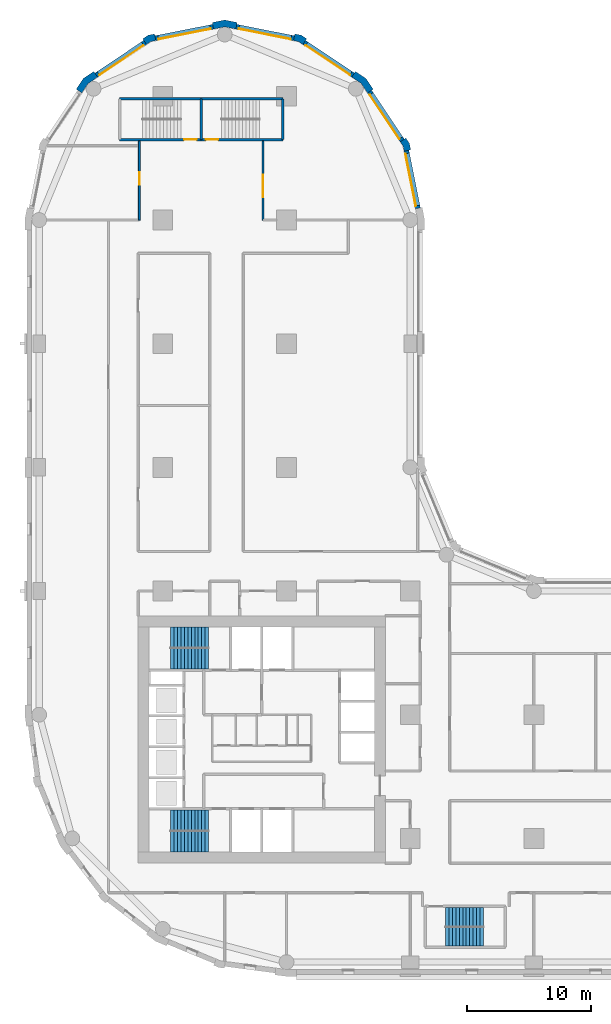
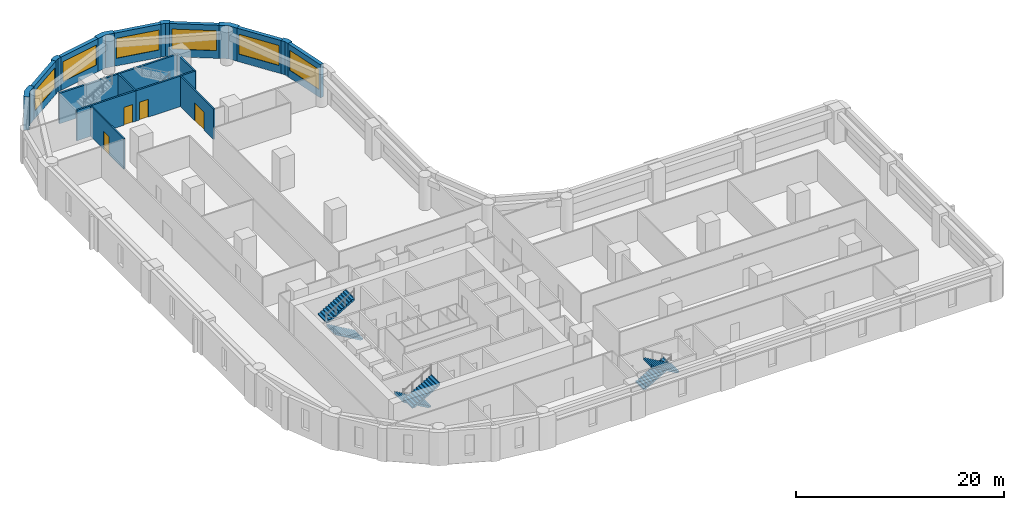
# One storey, part 8 of 11: 20 walls, 6 stair flights, 6 windows, 4 doors, 10 openings, 3 elements without a shape of their own.
"""IFC4 building model written with IfcOpenShell, lengths in metres."""

from ifc_helpers import new_model, si_unit, direction, frame, frame_2d, origin, place, context, subcontext, project, spatial, polyline, rectangle, outline, extrude, material, layer, layer_set, type_object, element, fill, aggregate, save


model = new_model("IFC4")

# Units and contexts
model_context = context("Model", 3, precision=1e-05, world=origin(), true_north=direction((0.0, 1.0)))
body_context = subcontext(model_context, "Body", "Model", "MODEL_VIEW")
ifc_project = project(units=[si_unit("LENGTHUNIT", "METRE"), si_unit("AREAUNIT", "SQUARE_METRE"), si_unit("VOLUMEUNIT", "CUBIC_METRE"), si_unit("PLANEANGLEUNIT", "RADIAN"), si_unit("MASSUNIT", "GRAM", prefix="KILO")], contexts=[model_context])

# Site, building, storey
site_placement = place(None, origin())
site = spatial("IfcSite", under=ifc_project, at=site_placement, CompositionType="ELEMENT")
building_placement = place(site_placement, origin())
building = spatial("IfcBuilding", under=site, at=building_placement, Name="Qaws Garden Tower", CompositionType="ELEMENT")
storey_placement = place(building_placement, frame((0.0, 0.0, 90.0)))
storey = spatial("IfcBuildingStorey", under=building, at=storey_placement, Name="L22", CompositionType="ELEMENT", Elevation=90.0)

# Wall, opening, window
ifc_material_1 = material(Name="Clay facing brick masonry", Category="masonry")
ifc_layer_1 = layer(ifc_material_1, 0.39990234375)
ifc_layer_set_1 = layer_set([ifc_layer_1], Name="Clay facing brick masonry")
wall_type_1 = type_object("IfcWallType", Name="Brick infill wall 400", PredefinedType="SOLIDWALL", material=ifc_layer_set_1)
wall_1_placement = place(storey_placement, frame((30.628662109375, 60.940673828125, 0.0), z_axis=(0.0, 0.0, 1.0), x_axis=(-0.195098533057, 0.98078364709, 0.0)))
wall_1 = element("IfcWall", 1, at=wall_1_placement, inside=storey, type_object=wall_type_1, Name="E-L22-infill-15", PredefinedType="SOLIDWALL", context=body_context, shape_type="SweptSolid", body=[
    extrude(rectangle(XDim=4.752685546875, YDim=0.39990234375, at=frame_2d((2.37646484375, 0.0))), origin(), (0.0, 0.0, 1.0), 3.89990234375),
])
opening_1_placement = place(wall_1_placement, frame((0.226318359375, 0.0, 0.89990234375)))
opening_1 = element("IfcOpeningElement", 2, at=opening_1_placement, cuts=wall_1, Name="Opening W06", PredefinedType="OPENING", context=body_context, shape_type="SweptSolid", body=[
    extrude(rectangle(XDim=4.300048828125, YDim=2.35009765625, at=frame_2d((2.14990234375, 1.175048828125))), frame((0.0, 0.2099609375, 0.0), z_axis=(0.0, -1.0, 0.0), x_axis=(1.0, 0.0, 0.0)), (0.0, 0.0, 1.0), 0.419921875),
])
ifc_material_2 = material(Name="Aluminium framed window, clear glazing", Category="aluminium")
window_type = type_object("IfcWindowType", Name="Ribbon window 4300 x 2350", PartitioningType="DOUBLE_PANEL_VERTICAL", PredefinedType="WINDOW", material=ifc_material_2)
window_1_placement = place(opening_1_placement, origin())
window_1 = element("IfcWindow", 3, at=window_1_placement, inside=storey, type_object=window_type, Name="E-L22-window-15-0", OverallHeight=2.35009765625, OverallWidth=4.300048828125, PartitioningType="SINGLE_PANEL", PredefinedType="WINDOW", context=body_context, shape_type="SweptSolid", body=[
    extrude(rectangle(XDim=4.300048828125, YDim=2.35009765625, at=frame_2d((2.14990234375, 1.175048828125))), frame((0.0, 0.159912109375, 0.0), z_axis=(0.0, -1.0, 0.0), x_axis=(1.0, 0.0, 0.0)), (0.0, 0.0, 1.0), 0.06005859375),
])
fill(opening_1, window_1)

wall_2_placement = place(storey_placement, frame((29.356689453125, 66.43408203125, 0.0), z_axis=(0.0, 0.0, 1.0), x_axis=(-0.555541552266, 0.831488775454, 0.0)))
wall_2 = element("IfcWall", 4, at=wall_2_placement, inside=storey, type_object=wall_type_1, Name="E-L22-infill-16", PredefinedType="SOLIDWALL", context=body_context, shape_type="SweptSolid", body=[
    extrude(rectangle(XDim=4.752685546875, YDim=0.39990234375, at=frame_2d((2.37646484375, 0.0))), origin(), (0.0, 0.0, 1.0), 3.89990234375),
])
opening_2_placement = place(wall_2_placement, frame((0.226318359375, 0.0, 0.89990234375)))
opening_2 = element("IfcOpeningElement", 5, at=opening_2_placement, cuts=wall_2, Name="Opening W06", PredefinedType="OPENING", context=body_context, shape_type="SweptSolid", body=[
    extrude(rectangle(XDim=4.300048828125, YDim=2.35009765625, at=frame_2d((2.14990234375, 1.175048828125))), frame((0.0, 0.2099609375, 0.0), z_axis=(0.0, -1.0, 0.0), x_axis=(1.0, 0.0, 0.0)), (0.0, 0.0, 1.0), 0.419921875),
])
window_2_placement = place(opening_2_placement, origin())
window_2 = element("IfcWindow", 6, at=window_2_placement, inside=storey, type_object=window_type, Name="E-L22-window-16-0", OverallHeight=2.35009765625, OverallWidth=4.300048828125, PartitioningType="SINGLE_PANEL", PredefinedType="WINDOW", context=body_context, shape_type="SweptSolid", body=[
    extrude(rectangle(XDim=4.300048828125, YDim=2.35009765625, at=frame_2d((2.14990234375, 1.175048828125))), frame((0.0, 0.159912109375, 0.0), z_axis=(0.0, -1.0, 0.0), x_axis=(1.0, 0.0, 0.0)), (0.0, 0.0, 1.0), 0.06005859375),
])
fill(opening_2, window_2)

wall_3_placement = place(storey_placement, frame((25.385986328125, 71.71630859375, 0.0), z_axis=(0.0, 0.0, 1.0), x_axis=(-0.831488775454, 0.555541552266, 0.0)))
wall_3 = element("IfcWall", 7, at=wall_3_placement, inside=storey, type_object=wall_type_1, Name="E-L22-infill-17", PredefinedType="SOLIDWALL", context=body_context, shape_type="SweptSolid", body=[
    extrude(rectangle(XDim=4.752685546875, YDim=0.39990234375, at=frame_2d((2.37646484375, 0.0))), origin(), (0.0, 0.0, 1.0), 3.89990234375),
])
opening_3_placement = place(wall_3_placement, frame((0.226318359375, 0.0, 0.89990234375)))
opening_3 = element("IfcOpeningElement", 8, at=opening_3_placement, cuts=wall_3, Name="Opening W06", PredefinedType="OPENING", context=body_context, shape_type="SweptSolid", body=[
    extrude(rectangle(XDim=4.300048828125, YDim=2.35009765625, at=frame_2d((2.14990234375, 1.175048828125))), frame((0.0, 0.2099609375, 0.0), z_axis=(0.0, -1.0, 0.0), x_axis=(1.0, 0.0, 0.0)), (0.0, 0.0, 1.0), 0.419921875),
])
window_3_placement = place(opening_3_placement, origin())
window_3 = element("IfcWindow", 9, at=window_3_placement, inside=storey, type_object=window_type, Name="E-L22-window-17-0", OverallHeight=2.35009765625, OverallWidth=4.300048828125, PartitioningType="SINGLE_PANEL", PredefinedType="WINDOW", context=body_context, shape_type="SweptSolid", body=[
    extrude(rectangle(XDim=4.300048828125, YDim=2.35009765625, at=frame_2d((2.14990234375, 1.175048828125))), frame((0.0, 0.159912109375, 0.0), z_axis=(0.0, -1.0, 0.0), x_axis=(1.0, 0.0, 0.0)), (0.0, 0.0, 1.0), 0.06005859375),
])
fill(opening_3, window_3)

wall_4_placement = place(storey_placement, frame((20.60205078125, 74.701416015625, 0.0), z_axis=(0.0, 0.0, 1.0), x_axis=(-0.98078364709, 0.195098533057, 0.0)))
wall_4 = element("IfcWall", 10, at=wall_4_placement, inside=storey, type_object=wall_type_1, Name="E-L22-infill-18", PredefinedType="SOLIDWALL", context=body_context, shape_type="SweptSolid", body=[
    extrude(rectangle(XDim=4.752685546875, YDim=0.39990234375, at=frame_2d((2.37646484375, 0.0))), origin(), (0.0, 0.0, 1.0), 3.89990234375),
])
opening_4_placement = place(wall_4_placement, frame((0.226318359375, 0.0, 0.89990234375)))
opening_4 = element("IfcOpeningElement", 11, at=opening_4_placement, cuts=wall_4, Name="Opening W06", PredefinedType="OPENING", context=body_context, shape_type="SweptSolid", body=[
    extrude(rectangle(XDim=4.300048828125, YDim=2.35009765625, at=frame_2d((2.14990234375, 1.175048828125))), frame((0.0, 0.2099609375, 0.0), z_axis=(0.0, -1.0, 0.0), x_axis=(1.0, 0.0, 0.0)), (0.0, 0.0, 1.0), 0.419921875),
])
window_4_placement = place(opening_4_placement, origin())
window_4 = element("IfcWindow", 12, at=window_4_placement, inside=storey, type_object=window_type, Name="E-L22-window-18-0", OverallHeight=2.35009765625, OverallWidth=4.300048828125, PartitioningType="SINGLE_PANEL", PredefinedType="WINDOW", context=body_context, shape_type="SweptSolid", body=[
    extrude(rectangle(XDim=4.300048828125, YDim=2.35009765625, at=frame_2d((2.14990234375, 1.175048828125))), frame((0.0, 0.159912109375, 0.0), z_axis=(0.0, -1.0, 0.0), x_axis=(1.0, 0.0, 0.0)), (0.0, 0.0, 1.0), 0.06005859375),
])
fill(opening_4, window_4)

wall_5_placement = place(storey_placement, frame((14.059326171875, 75.628662109375, 0.0), z_axis=(0.0, 0.0, 1.0), x_axis=(-0.98078364709, -0.195098533057, 0.0)))
wall_5 = element("IfcWall", 13, at=wall_5_placement, inside=storey, type_object=wall_type_1, Name="E-L22-infill-19", PredefinedType="SOLIDWALL", context=body_context, shape_type="SweptSolid", body=[
    extrude(rectangle(XDim=4.752685546875, YDim=0.39990234375, at=frame_2d((2.37646484375, 0.0))), origin(), (0.0, 0.0, 1.0), 3.89990234375),
])
opening_5_placement = place(wall_5_placement, frame((0.226318359375, 0.0, 0.89990234375)))
opening_5 = element("IfcOpeningElement", 14, at=opening_5_placement, cuts=wall_5, Name="Opening W06", PredefinedType="OPENING", context=body_context, shape_type="SweptSolid", body=[
    extrude(rectangle(XDim=4.300048828125, YDim=2.35009765625, at=frame_2d((2.14990234375, 1.175048828125))), frame((0.0, 0.2099609375, 0.0), z_axis=(0.0, -1.0, 0.0), x_axis=(1.0, 0.0, 0.0)), (0.0, 0.0, 1.0), 0.419921875),
])
window_5_placement = place(opening_5_placement, origin())
window_5 = element("IfcWindow", 15, at=window_5_placement, inside=storey, type_object=window_type, Name="E-L22-window-19-0", OverallHeight=2.35009765625, OverallWidth=4.300048828125, PartitioningType="SINGLE_PANEL", PredefinedType="WINDOW", context=body_context, shape_type="SweptSolid", body=[
    extrude(rectangle(XDim=4.300048828125, YDim=2.35009765625, at=frame_2d((2.14990234375, 1.175048828125))), frame((0.0, 0.159912109375, 0.0), z_axis=(0.0, -1.0, 0.0), x_axis=(1.0, 0.0, 0.0)), (0.0, 0.0, 1.0), 0.06005859375),
])
fill(opening_5, window_5)

wall_6_placement = place(storey_placement, frame((8.56591796875, 74.356689453125, 0.0), z_axis=(0.0, 0.0, 1.0), x_axis=(-0.831488775454, -0.555541552266, 0.0)))
wall_6 = element("IfcWall", 16, at=wall_6_placement, inside=storey, type_object=wall_type_1, Name="E-L22-infill-20", PredefinedType="SOLIDWALL", context=body_context, shape_type="SweptSolid", body=[
    extrude(rectangle(XDim=4.752685546875, YDim=0.39990234375, at=frame_2d((2.37646484375, 0.0))), origin(), (0.0, 0.0, 1.0), 3.89990234375),
])
opening_6_placement = place(wall_6_placement, frame((0.226318359375, 0.0, 0.89990234375)))
opening_6 = element("IfcOpeningElement", 17, at=opening_6_placement, cuts=wall_6, Name="Opening W06", PredefinedType="OPENING", context=body_context, shape_type="SweptSolid", body=[
    extrude(rectangle(XDim=4.300048828125, YDim=2.35009765625, at=frame_2d((2.14990234375, 1.175048828125))), frame((0.0, 0.2099609375, 0.0), z_axis=(0.0, -1.0, 0.0), x_axis=(1.0, 0.0, 0.0)), (0.0, 0.0, 1.0), 0.419921875),
])
window_6_placement = place(opening_6_placement, origin())
window_6 = element("IfcWindow", 18, at=window_6_placement, inside=storey, type_object=window_type, Name="E-L22-window-20-0", OverallHeight=2.35009765625, OverallWidth=4.300048828125, PartitioningType="SINGLE_PANEL", PredefinedType="WINDOW", context=body_context, shape_type="SweptSolid", body=[
    extrude(rectangle(XDim=4.300048828125, YDim=2.35009765625, at=frame_2d((2.14990234375, 1.175048828125))), frame((0.0, 0.159912109375, 0.0), z_axis=(0.0, -1.0, 0.0), x_axis=(1.0, 0.0, 0.0)), (0.0, 0.0, 1.0), 0.06005859375),
])
fill(opening_6, window_6)

# Walls
ifc_material_3 = material(Name="Clay facing brick masonry", Category="masonry")
ifc_layer_2 = layer(ifc_material_3, 0.550048828125)
ifc_layer_set_2 = layer_set([ifc_layer_2], Name="Clay facing brick masonry")
wall_type_2 = type_object("IfcWallType", Name="Brick kink pier 550 x 600", PredefinedType="SOLIDWALL", material=ifc_layer_set_2)
placement = place(storey_placement, origin())
element("IfcWall", 19, at=placement, inside=storey, type_object=wall_type_2, Name="E-L22-pier-16", PredefinedType="SOLIDWALL", context=body_context, shape_type="SweptSolid", body=[
    extrude(outline(polyline([(29.8974609375, 65.64111328125), (30.044677734375, 65.67041015625), (29.94140625, 66.18896484375), (29.647705078125, 66.628662109375), (29.52294921875, 66.545166015625), (29.1904296875, 66.322998046875), (29.42333984375, 65.974365234375), (29.505126953125, 65.56298828125), (29.8974609375, 65.64111328125)])), origin(), (0.0, 0.0, 1.0), 3.89990234375),
])
element("IfcWall", 20, at=placement, inside=storey, type_object=wall_type_2, Name="E-L22-pier-18", PredefinedType="SOLIDWALL", context=body_context, shape_type="SweptSolid", body=[
    extrude(outline(polyline([(21.545166015625, 74.52294921875), (21.628662109375, 74.647705078125), (21.18896484375, 74.94140625), (20.67041015625, 75.044677734375), (20.64111328125, 74.8974609375), (20.56298828125, 74.505126953125), (20.974365234375, 74.42333984375), (21.322998046875, 74.1904296875), (21.545166015625, 74.52294921875)])), origin(), (0.0, 0.0, 1.0), 3.89990234375),
])
element("IfcWall", 21, at=placement, inside=storey, type_object=wall_type_2, Name="E-L22-pier-20", PredefinedType="SOLIDWALL", context=body_context, shape_type="SweptSolid", body=[
    extrude(outline(polyline([(9.35888671875, 74.8974609375), (9.32958984375, 75.044677734375), (8.81103515625, 74.94140625), (8.371337890625, 74.647705078125), (8.454833984375, 74.52294921875), (8.677001953125, 74.1904296875), (9.025634765625, 74.42333984375), (9.43701171875, 74.505126953125), (9.35888671875, 74.8974609375)])), origin(), (0.0, 0.0, 1.0), 3.89990234375),
])
ifc_material_4 = material(Name="Clay facing brick masonry", Category="masonry")
ifc_layer_3 = layer(ifc_material_4, 0.550048828125)
ifc_layer_set_3 = layer_set([ifc_layer_3], Name="Clay facing brick masonry")
wall_type_3 = type_object("IfcWallType", Name="Brick pier 550 x 1600", PredefinedType="SOLIDWALL", material=ifc_layer_set_3)
element("IfcWall", 22, at=placement, inside=storey, type_object=wall_type_3, Name="E-L22-pier-17", PredefinedType="SOLIDWALL", context=body_context, shape_type="SweptSolid", body=[
    extrude(outline(polyline([(26.882568359375, 70.4970703125), (27.00732421875, 70.580322265625), (26.435791015625, 71.435791015625), (25.580322265625, 72.00732421875), (25.4970703125, 71.882568359375), (25.274658203125, 71.550048828125), (26.0390625, 71.0390625), (26.550048828125, 70.274658203125), (26.882568359375, 70.4970703125)])), origin(), (0.0, 0.0, 1.0), 3.89990234375),
])
element("IfcWall", 23, at=placement, inside=storey, type_object=wall_type_3, Name="E-L22-pier-19", PredefinedType="SOLIDWALL", context=body_context, shape_type="SweptSolid", body=[
    extrude(outline(polyline([(15.979736328125, 75.82470703125), (16.009033203125, 75.971923828125), (15.0, 76.172607421875), (13.990966796875, 75.971923828125), (14.020263671875, 75.82470703125), (14.098388671875, 75.432373046875), (15.0, 75.61181640625), (15.901611328125, 75.432373046875), (15.979736328125, 75.82470703125)])), origin(), (0.0, 0.0, 1.0), 3.89990234375),
])
element("IfcWall", 24, at=placement, inside=storey, type_object=wall_type_3, Name="E-L22-pier-21", PredefinedType="SOLIDWALL", context=body_context, shape_type="SweptSolid", body=[
    extrude(outline(polyline([(4.5029296875, 71.882568359375), (4.419677734375, 72.00732421875), (3.564208984375, 71.435791015625), (2.99267578125, 70.580322265625), (3.117431640625, 70.4970703125), (3.449951171875, 70.274658203125), (3.9609375, 71.0390625), (4.725341796875, 71.550048828125), (4.5029296875, 71.882568359375)])), origin(), (0.0, 0.0, 1.0), 3.89990234375),
])

# Wall, opening, door
ifc_material_5 = material(Name="Concrete C80", Category="concrete")
ifc_layer_4 = layer(ifc_material_5, 0.199951171875)
ifc_layer_set_4 = layer_set([ifc_layer_4], Name="Concrete C80")
wall_type_4 = type_object("IfcWallType", Name="Core shaft wall 200 C80", PredefinedType="SHEAR", material=ifc_layer_set_4)
wall_13_placement = place(storey_placement, frame((6.5, 66.5, 0.0), z_axis=(0.0, 0.0, 1.0), x_axis=(1.0, 0.0, 0.0)))
wall_13 = element("IfcWall", 25, at=wall_13_placement, inside=storey, type_object=wall_type_4, Name="Shaft wall", PredefinedType="SHEAR", context=body_context, shape_type="SweptSolid", body=[
    extrude(rectangle(XDim=6.60009765625, YDim=0.199951171875, at=frame_2d((3.300048828125, 0.0))), origin(), (0.0, 0.0, 1.0), 3.580078125),
])
opening_7_placement = place(wall_13_placement, frame((5.22509765625, 0.0, 0.0)))
opening_7 = element("IfcOpeningElement", 26, at=opening_7_placement, cuts=wall_13, Name="Opening SD13", PredefinedType="OPENING", context=body_context, shape_type="SweptSolid", body=[
    extrude(rectangle(XDim=1.0, YDim=2.10009765625, at=frame_2d((0.5, 1.050048828125))), frame((0.0, 0.10986328125, 0.0), z_axis=(0.0, -1.0, 0.0), x_axis=(1.0, 0.0, 0.0)), (0.0, 0.0, 1.0), 0.219970703125),
])
ifc_material_6 = material(Name="Steel S235", Category="steel")
door_type_1 = type_object("IfcDoorType", Name="Stair door 1000x2100", OperationType="SINGLE_SWING_RIGHT", PredefinedType="DOOR", material=ifc_material_6)
door_1_placement = place(opening_7_placement, origin())
door_1 = element("IfcDoor", 27, at=door_1_placement, inside=storey, type_object=door_type_1, Name="Stair 6 door", OperationType="SINGLE_SWING_RIGHT", OverallHeight=2.10009765625, OverallWidth=1.0, PredefinedType="DOOR", context=body_context, shape_type="SweptSolid", body=[
    extrude(rectangle(XDim=1.0, YDim=2.10009765625, at=frame_2d((0.5, 1.050048828125))), frame((0.0, 0.02490234375, 0.0), z_axis=(0.0, -1.0, 0.0), x_axis=(1.0, 0.0, 0.0)), (0.0, 0.0, 1.0), 0.050048828125),
])
fill(opening_7, door_1)

wall_14_placement = place(storey_placement, frame((13.10009765625, 66.5, 0.0), z_axis=(0.0, 0.0, 1.0), x_axis=(1.0, 0.0, 0.0)))
wall_14 = element("IfcWall", 28, at=wall_14_placement, inside=storey, type_object=wall_type_4, Name="Shaft wall", PredefinedType="SHEAR", context=body_context, shape_type="SweptSolid", body=[
    extrude(rectangle(XDim=6.599853515625, YDim=0.199951171875, at=frame_2d((3.2998046875, 0.0))), origin(), (0.0, 0.0, 1.0), 3.580078125),
])
opening_8_placement = place(wall_14_placement, frame((0.375, 0.0, 0.0)))
opening_8 = element("IfcOpeningElement", 29, at=opening_8_placement, cuts=wall_14, Name="Opening SD14", PredefinedType="OPENING", context=body_context, shape_type="SweptSolid", body=[
    extrude(rectangle(XDim=1.0, YDim=2.10009765625, at=frame_2d((0.5, 1.050048828125))), frame((0.0, 0.10986328125, 0.0), z_axis=(0.0, -1.0, 0.0), x_axis=(1.0, 0.0, 0.0)), (0.0, 0.0, 1.0), 0.219970703125),
])
door_2_placement = place(opening_8_placement, origin())
door_2 = element("IfcDoor", 30, at=door_2_placement, inside=storey, type_object=door_type_1, Name="Stair 7 door", OperationType="SINGLE_SWING_LEFT", OverallHeight=2.10009765625, OverallWidth=1.0, PredefinedType="DOOR", context=body_context, shape_type="SweptSolid", body=[
    extrude(rectangle(XDim=1.0, YDim=2.10009765625, at=frame_2d((0.5, 1.050048828125))), frame((0.0, 0.02490234375, 0.0), z_axis=(0.0, -1.0, 0.0), x_axis=(1.0, 0.0, 0.0)), (0.0, 0.0, 1.0), 0.050048828125),
])
fill(opening_8, door_2)

# Walls
wall_15_placement = place(storey_placement, frame((6.5, 69.800048828125, 0.0), z_axis=(0.0, 0.0, 1.0), x_axis=(1.0, 0.0, 0.0)))
element("IfcWall", 31, at=wall_15_placement, inside=storey, type_object=wall_type_4, Name="Shaft wall", PredefinedType="SHEAR", context=body_context, shape_type="SweptSolid", body=[
    extrude(rectangle(XDim=6.60009765625, YDim=0.199951171875, at=frame_2d((3.300048828125, 0.0))), origin(), (0.0, 0.0, 1.0), 3.580078125),
])
wall_16_placement = place(storey_placement, frame((13.10009765625, 69.800048828125, 0.0), z_axis=(0.0, 0.0, 1.0), x_axis=(1.0, 0.0, 0.0)))
element("IfcWall", 32, at=wall_16_placement, inside=storey, type_object=wall_type_4, Name="Shaft wall", PredefinedType="SHEAR", context=body_context, shape_type="SweptSolid", body=[
    extrude(rectangle(XDim=6.599853515625, YDim=0.199951171875, at=frame_2d((3.2998046875, 0.0))), origin(), (0.0, 0.0, 1.0), 3.580078125),
])
for number, where, z_axis, x_axis, name in (
    (33, (13.10009765625, 66.5, 0.0), (0.0, 0.0, 1.0), (0.0, 1.0, 0.0), "Shaft wall"),
    (34, (19.699951171875, 66.5, 0.0), (0.0, 0.0, 1.0), (0.0, 1.0, 0.0), "Shaft wall"),
):
    element("IfcWall", number, at=place(storey_placement, frame(where, z_axis=z_axis, x_axis=x_axis)), inside=storey, type_object=wall_type_4, Name=name, PredefinedType="SHEAR", context=body_context, shape_type="SweptSolid", body=[
        extrude(rectangle(XDim=3.300048828125, YDim=0.199951171875, at=frame_2d((1.64990234375, 0.0))), origin(), (0.0, 0.0, 1.0), 3.580078125),
    ])

# Wall, opening, door
ifc_material_7 = material(Name="Gypsum board partition")
ifc_layer_5 = layer(ifc_material_7, 0.14990234375)
ifc_layer_set_5 = layer_set([ifc_layer_5], Name="Gypsum board partition")
wall_type_5 = type_object("IfcWallType", Name="PARTITION 150 EI 60", PredefinedType="PARTITIONING", material=ifc_layer_set_5)
wall_17_placement = place(storey_placement, frame((8.10009765625, 60.0, 0.0), z_axis=(0.0, 0.0, 1.0), x_axis=(0.0, 1.0, 0.0)))
wall_17 = element("IfcWall", 35, at=wall_17_placement, inside=storey, type_object=wall_type_5, Name="O-L22-wall-004", PredefinedType="PARTITIONING", context=body_context, shape_type="SweptSolid", body=[
    extrude(rectangle(XDim=6.39990234375, YDim=0.14990234375, at=frame_2d((3.199951171875, 0.0))), origin(), (0.0, 0.0, 1.0), 3.580078125),
])
opening_9_placement = place(wall_17_placement, frame((2.85009765625, 0.0, 0.0)))
opening_9 = element("IfcOpeningElement", 36, at=opening_9_placement, cuts=wall_17, Name="Opening A716", PredefinedType="OPENING", context=body_context, shape_type="SweptSolid", body=[
    extrude(rectangle(XDim=1.0, YDim=2.10009765625, at=frame_2d((0.5, 1.050048828125))), frame((0.0, 0.0849609375, 0.0), z_axis=(0.0, -1.0, 0.0), x_axis=(1.0, 0.0, 0.0)), (0.0, 0.0, 1.0), 0.169921875),
])
ifc_material_8 = material(Name="Timber door leaf", Category="wood")
door_type_2 = type_object("IfcDoorType", Name="TENANCY ENTRANCE DOOR 1000 X 2100", OperationType="SINGLE_SWING_LEFT", PredefinedType="DOOR", material=ifc_material_8)
door_3_placement = place(opening_9_placement, origin())
door_3 = element("IfcDoor", 37, at=door_3_placement, inside=storey, type_object=door_type_2, Name="O-L22-door-016", OperationType="SINGLE_SWING_LEFT", OverallHeight=2.10009765625, OverallWidth=1.0, PredefinedType="DOOR", context=body_context, shape_type="SweptSolid", body=[
    extrude(rectangle(XDim=1.0, YDim=2.10009765625, at=frame_2d((0.5, 1.050048828125))), frame((0.0, 0.02490234375, 0.0), z_axis=(0.0, -1.0, 0.0), x_axis=(1.0, 0.0, 0.0)), (0.0, 0.0, 1.0), 0.050048828125),
])
fill(opening_9, door_3)

wall_18_placement = place(storey_placement, frame((18.10009765625, 60.0, 0.0), z_axis=(0.0, 0.0, 1.0), x_axis=(0.0, 1.0, 0.0)))
wall_18 = element("IfcWall", 38, at=wall_18_placement, inside=storey, type_object=wall_type_5, Name="O-L22-wall-010", PredefinedType="PARTITIONING", context=body_context, shape_type="SweptSolid", body=[
    extrude(rectangle(XDim=6.39990234375, YDim=0.14990234375, at=frame_2d((3.199951171875, 0.0))), origin(), (0.0, 0.0, 1.0), 3.580078125),
])
opening_10_placement = place(wall_18_placement, frame((1.85009765625, 0.0, 0.0)))
opening_10 = element("IfcOpeningElement", 39, at=opening_10_placement, cuts=wall_18, Name="Opening A717", PredefinedType="OPENING", context=body_context, shape_type="SweptSolid", body=[
    extrude(rectangle(XDim=1.800048828125, YDim=2.10009765625, at=frame_2d((0.89990234375, 1.050048828125))), frame((0.0, 0.0849609375, 0.0), z_axis=(0.0, -1.0, 0.0), x_axis=(1.0, 0.0, 0.0)), (0.0, 0.0, 1.0), 0.169921875),
])
ifc_material_9 = material(Name="Timber door leaf", Category="wood")
door_type_3 = type_object("IfcDoorType", Name="DOUBLE DOOR 1800 X 2100", OperationType="DOUBLE_DOOR_SINGLE_SWING", PredefinedType="DOOR", material=ifc_material_9)
door_4_placement = place(opening_10_placement, frame((1.800048828125, 0.0, 0.0), z_axis=(0.0, 0.0, 1.0), x_axis=(-1.0, 0.0, 0.0)))
door_4 = element("IfcDoor", 40, at=door_4_placement, inside=storey, type_object=door_type_3, Name="O-L22-door-017", OperationType="DOUBLE_DOOR_SINGLE_SWING", OverallHeight=2.10009765625, OverallWidth=1.800048828125, PredefinedType="DOOR", context=body_context, shape_type="SweptSolid", body=[
    extrude(rectangle(XDim=1.800048828125, YDim=2.10009765625, at=frame_2d((0.89990234375, 1.050048828125))), frame((0.0, 0.02490234375, 0.0), z_axis=(0.0, -1.0, 0.0), x_axis=(1.0, 0.0, 0.0)), (0.0, 0.0, 1.0), 0.050048828125),
])
fill(opening_10, door_4)

# Stair, stair flights
ifc_material_10 = material(Name="Concrete C40", Category="concrete")
stair_type_1 = type_object("IfcStairType", Name="Exit stair 1350", PredefinedType="HALF_TURN_STAIR", material=ifc_material_10)
stair_1 = element("IfcStair", 41, at=placement, inside=storey, type_object=stair_type_1, Name="Stair 5", PredefinedType="HALF_TURN_STAIR")
ifc_material_11 = material(Name="Concrete C40", Category="concrete")
stair_flight_type_1 = type_object("IfcStairFlightType", Name="Stair flight 1350", PredefinedType="STRAIGHT", material=ifc_material_11)
stair_flight_1_placement = place(storey_placement, frame((32.85009765625, 3.625, 0.0), z_axis=(0.0, 0.0, 1.0), x_axis=(1.0, 0.0, 0.0)))
stair_flight_1 = element("IfcStairFlight", 42, at=stair_flight_1_placement, type_object=stair_flight_type_1, Name="ST5 flight 1", NumberOfRisers=12, NumberOfTreads=11, PredefinedType="STRAIGHT", RiserHeight=0.1625, TreadLength=0.28, context=body_context, shape_type="SweptSolid", body=[
    extrude(outline(polyline([(-0.0029296875, 0.0), (-0.0029296875, 0.16259765625), (0.0, 0.16259765625), (0.280029296875, 0.16259765625), (0.280029296875, 0.324951171875), (0.56005859375, 0.324951171875), (0.56005859375, 0.487548828125), (0.840087890625, 0.487548828125), (0.840087890625, 0.64990234375), (1.1201171875, 0.64990234375), (1.1201171875, 0.8125), (1.39990234375, 0.8125), (1.39990234375, 0.97509765625), (1.679931640625, 0.97509765625), (1.679931640625, 1.137451171875), (1.9599609375, 1.137451171875), (1.9599609375, 1.300048828125), (2.239990234375, 1.300048828125), (2.239990234375, 1.46240234375), (2.52001953125, 1.46240234375), (2.52001953125, 1.625), (2.800048828125, 1.625), (2.800048828125, 1.78759765625), (3.080078125, 1.78759765625), (3.080078125, 1.949951171875), (3.0830078125, 1.949951171875), (3.0830078125, 1.6142578125), (3.080078125, 1.6142578125), (0.298583984375, 0.0), (-0.0029296875, 0.0)])), frame((0.0, 0.77490234375, 0.0), z_axis=(0.0, -1.0, 0.0), x_axis=(1.0, 0.0, 0.0)), (0.0, 0.0, 1.0), 1.550048828125),
])
stair_flight_2_placement = place(storey_placement, frame((35.929931640625, 2.074951171875, 1.949951171875), z_axis=(0.0, 0.0, 1.0), x_axis=(-1.0, 0.0, 0.0)))
stair_flight_2 = element("IfcStairFlight", 43, at=stair_flight_2_placement, type_object=stair_flight_type_1, Name="ST5 flight 2", NumberOfRisers=12, NumberOfTreads=11, PredefinedType="STRAIGHT", RiserHeight=0.1625, TreadLength=0.28, context=body_context, shape_type="SweptSolid", body=[
    extrude(outline(polyline([(-0.0029296875, 0.0), (-0.0029296875, 0.16259765625), (0.0, 0.16259765625), (0.280029296875, 0.16259765625), (0.280029296875, 0.324951171875), (0.56005859375, 0.324951171875), (0.56005859375, 0.487548828125), (0.840087890625, 0.487548828125), (0.840087890625, 0.64990234375), (1.1201171875, 0.64990234375), (1.1201171875, 0.8125), (1.39990234375, 0.8125), (1.39990234375, 0.97509765625), (1.679931640625, 0.97509765625), (1.679931640625, 1.137451171875), (1.9599609375, 1.137451171875), (1.9599609375, 1.300048828125), (2.239990234375, 1.300048828125), (2.239990234375, 1.46240234375), (2.52001953125, 1.46240234375), (2.52001953125, 1.625), (2.800048828125, 1.625), (2.800048828125, 1.78759765625), (3.080078125, 1.78759765625), (3.080078125, 1.949951171875), (3.0830078125, 1.949951171875), (3.0830078125, 1.6142578125), (3.080078125, 1.6142578125), (0.298583984375, 0.0), (-0.0029296875, 0.0)])), frame((0.0, 0.77490234375, 0.0), z_axis=(0.0, -1.0, 0.0), x_axis=(1.0, 0.0, 0.0)), (0.0, 0.0, 1.0), 1.550048828125),
])
aggregate(stair_1, [stair_flight_1, stair_flight_2])

ifc_material_12 = material(Name="Concrete C40", Category="concrete")
stair_type_2 = type_object("IfcStairType", Name="Exit stair 1500", PredefinedType="HALF_TURN_STAIR", material=ifc_material_12)
stair_2 = element("IfcStair", 44, at=placement, inside=storey, type_object=stair_type_2, Name="Stair 1", PredefinedType="HALF_TURN_STAIR")
ifc_material_13 = material(Name="Concrete C40", Category="concrete")
stair_flight_type_2 = type_object("IfcStairFlightType", Name="Stair flight 1500", PredefinedType="STRAIGHT", material=ifc_material_13)
stair_flight_3_placement = place(storey_placement, frame((13.699951171875, 11.449951171875, 0.0), z_axis=(0.0, 0.0, 1.0), x_axis=(-1.0, 0.0, 0.0)))
stair_flight_3 = element("IfcStairFlight", 45, at=stair_flight_3_placement, type_object=stair_flight_type_2, Name="ST1 flight 1", NumberOfRisers=12, NumberOfTreads=11, PredefinedType="STRAIGHT", RiserHeight=0.1625, TreadLength=0.28, context=body_context, shape_type="SweptSolid", body=[
    extrude(outline(polyline([(-0.0029296875, 0.0), (-0.0029296875, 0.16259765625), (0.0, 0.16259765625), (0.280029296875, 0.16259765625), (0.280029296875, 0.324951171875), (0.56005859375, 0.324951171875), (0.56005859375, 0.487548828125), (0.840087890625, 0.487548828125), (0.840087890625, 0.64990234375), (1.1201171875, 0.64990234375), (1.1201171875, 0.8125), (1.39990234375, 0.8125), (1.39990234375, 0.97509765625), (1.679931640625, 0.97509765625), (1.679931640625, 1.137451171875), (1.9599609375, 1.137451171875), (1.9599609375, 1.300048828125), (2.239990234375, 1.300048828125), (2.239990234375, 1.46240234375), (2.52001953125, 1.46240234375), (2.52001953125, 1.625), (2.800048828125, 1.625), (2.800048828125, 1.78759765625), (3.080078125, 1.78759765625), (3.080078125, 1.949951171875), (3.0830078125, 1.949951171875), (3.0830078125, 1.6142578125), (3.080078125, 1.6142578125), (0.298583984375, 0.0), (-0.0029296875, 0.0)])), frame((0.0, 0.85009765625, 0.0), z_axis=(0.0, -1.0, 0.0), x_axis=(1.0, 0.0, 0.0)), (0.0, 0.0, 1.0), 1.699951171875),
])
stair_flight_4_placement = place(storey_placement, frame((10.6201171875, 9.75, 1.949951171875), z_axis=(0.0, 0.0, 1.0), x_axis=(1.0, 0.0, 0.0)))
stair_flight_4 = element("IfcStairFlight", 46, at=stair_flight_4_placement, type_object=stair_flight_type_2, Name="ST1 flight 2", NumberOfRisers=12, NumberOfTreads=11, PredefinedType="STRAIGHT", RiserHeight=0.1625, TreadLength=0.28, context=body_context, shape_type="SweptSolid", body=[
    extrude(outline(polyline([(-0.0029296875, 0.0), (-0.0029296875, 0.16259765625), (0.0, 0.16259765625), (0.280029296875, 0.16259765625), (0.280029296875, 0.324951171875), (0.56005859375, 0.324951171875), (0.56005859375, 0.487548828125), (0.840087890625, 0.487548828125), (0.840087890625, 0.64990234375), (1.1201171875, 0.64990234375), (1.1201171875, 0.8125), (1.39990234375, 0.8125), (1.39990234375, 0.97509765625), (1.679931640625, 0.97509765625), (1.679931640625, 1.137451171875), (1.9599609375, 1.137451171875), (1.9599609375, 1.300048828125), (2.239990234375, 1.300048828125), (2.239990234375, 1.46240234375), (2.52001953125, 1.46240234375), (2.52001953125, 1.625), (2.800048828125, 1.625), (2.800048828125, 1.78759765625), (3.080078125, 1.78759765625), (3.080078125, 1.949951171875), (3.0830078125, 1.949951171875), (3.0830078125, 1.6142578125), (3.080078125, 1.6142578125), (0.298583984375, 0.0), (-0.0029296875, 0.0)])), frame((0.0, 0.85009765625, 0.0), z_axis=(0.0, -1.0, 0.0), x_axis=(1.0, 0.0, 0.0)), (0.0, 0.0, 1.0), 1.699951171875),
])
aggregate(stair_2, [stair_flight_3, stair_flight_4])

stair_3 = element("IfcStair", 47, at=placement, inside=storey, type_object=stair_type_2, Name="Stair 4", PredefinedType="HALF_TURN_STAIR")
stair_flight_5_placement = place(storey_placement, frame((13.699951171875, 24.550048828125, 0.0), z_axis=(0.0, 0.0, 1.0), x_axis=(-1.0, 0.0, 0.0)))
stair_flight_5 = element("IfcStairFlight", 48, at=stair_flight_5_placement, type_object=stair_flight_type_2, Name="ST4 flight 1", NumberOfRisers=12, NumberOfTreads=11, PredefinedType="STRAIGHT", RiserHeight=0.1625, TreadLength=0.28, context=body_context, shape_type="SweptSolid", body=[
    extrude(outline(polyline([(-0.0029296875, 0.0), (-0.0029296875, 0.16259765625), (0.0, 0.16259765625), (0.280029296875, 0.16259765625), (0.280029296875, 0.324951171875), (0.56005859375, 0.324951171875), (0.56005859375, 0.487548828125), (0.840087890625, 0.487548828125), (0.840087890625, 0.64990234375), (1.1201171875, 0.64990234375), (1.1201171875, 0.8125), (1.39990234375, 0.8125), (1.39990234375, 0.97509765625), (1.679931640625, 0.97509765625), (1.679931640625, 1.137451171875), (1.9599609375, 1.137451171875), (1.9599609375, 1.300048828125), (2.239990234375, 1.300048828125), (2.239990234375, 1.46240234375), (2.52001953125, 1.46240234375), (2.52001953125, 1.625), (2.800048828125, 1.625), (2.800048828125, 1.78759765625), (3.080078125, 1.78759765625), (3.080078125, 1.949951171875), (3.0830078125, 1.949951171875), (3.0830078125, 1.6142578125), (3.080078125, 1.6142578125), (0.298583984375, 0.0), (-0.0029296875, 0.0)])), frame((0.0, 0.844970703125, 0.0), z_axis=(0.0, -1.0, 0.0), x_axis=(1.0, 0.0, 0.0)), (0.0, 0.0, 1.0), 1.68994140625),
])
stair_flight_6_placement = place(storey_placement, frame((10.6201171875, 26.25, 1.949951171875), z_axis=(0.0, 0.0, 1.0), x_axis=(1.0, 0.0, 0.0)))
stair_flight_6 = element("IfcStairFlight", 49, at=stair_flight_6_placement, type_object=stair_flight_type_2, Name="ST4 flight 2", NumberOfRisers=12, NumberOfTreads=11, PredefinedType="STRAIGHT", RiserHeight=0.1625, TreadLength=0.28, context=body_context, shape_type="SweptSolid", body=[
    extrude(outline(polyline([(-0.0029296875, 0.0), (-0.0029296875, 0.16259765625), (0.0, 0.16259765625), (0.280029296875, 0.16259765625), (0.280029296875, 0.324951171875), (0.56005859375, 0.324951171875), (0.56005859375, 0.487548828125), (0.840087890625, 0.487548828125), (0.840087890625, 0.64990234375), (1.1201171875, 0.64990234375), (1.1201171875, 0.8125), (1.39990234375, 0.8125), (1.39990234375, 0.97509765625), (1.679931640625, 0.97509765625), (1.679931640625, 1.137451171875), (1.9599609375, 1.137451171875), (1.9599609375, 1.300048828125), (2.239990234375, 1.300048828125), (2.239990234375, 1.46240234375), (2.52001953125, 1.46240234375), (2.52001953125, 1.625), (2.800048828125, 1.625), (2.800048828125, 1.78759765625), (3.080078125, 1.78759765625), (3.080078125, 1.949951171875), (3.0830078125, 1.949951171875), (3.0830078125, 1.6142578125), (3.080078125, 1.6142578125), (0.298583984375, 0.0), (-0.0029296875, 0.0)])), frame((0.0, 0.844970703125, 0.0), z_axis=(0.0, -1.0, 0.0), x_axis=(1.0, 0.0, 0.0)), (0.0, 0.0, 1.0), 1.68994140625),
])
aggregate(stair_3, [stair_flight_5, stair_flight_6])

save(model, "model.ifc")
